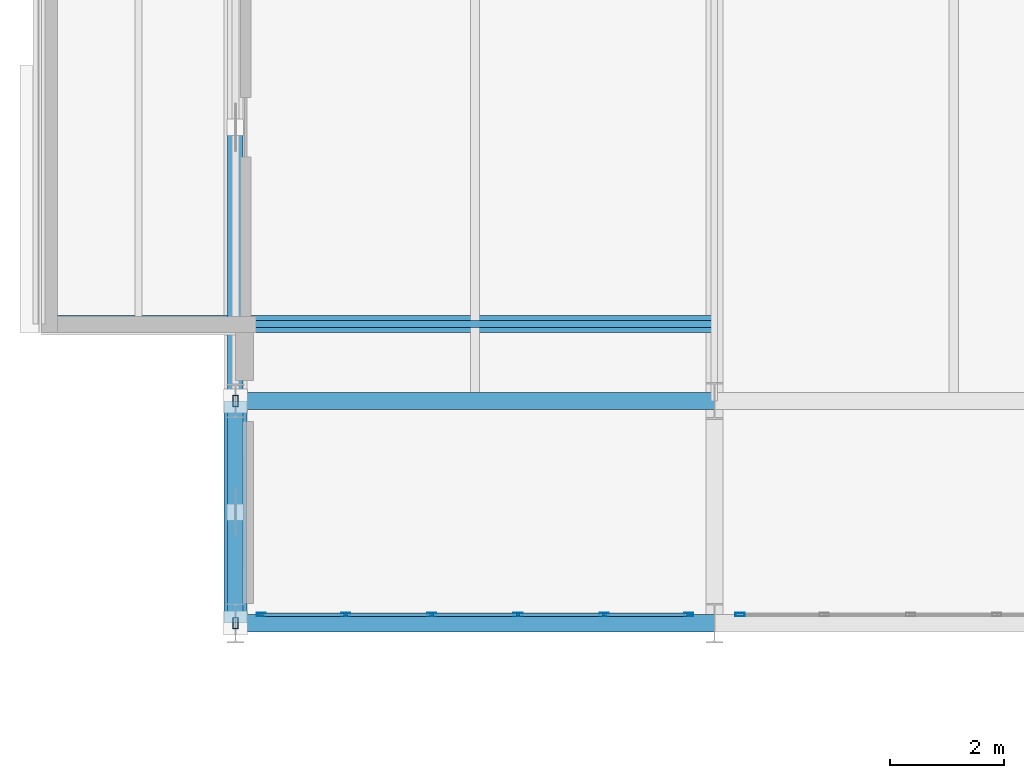
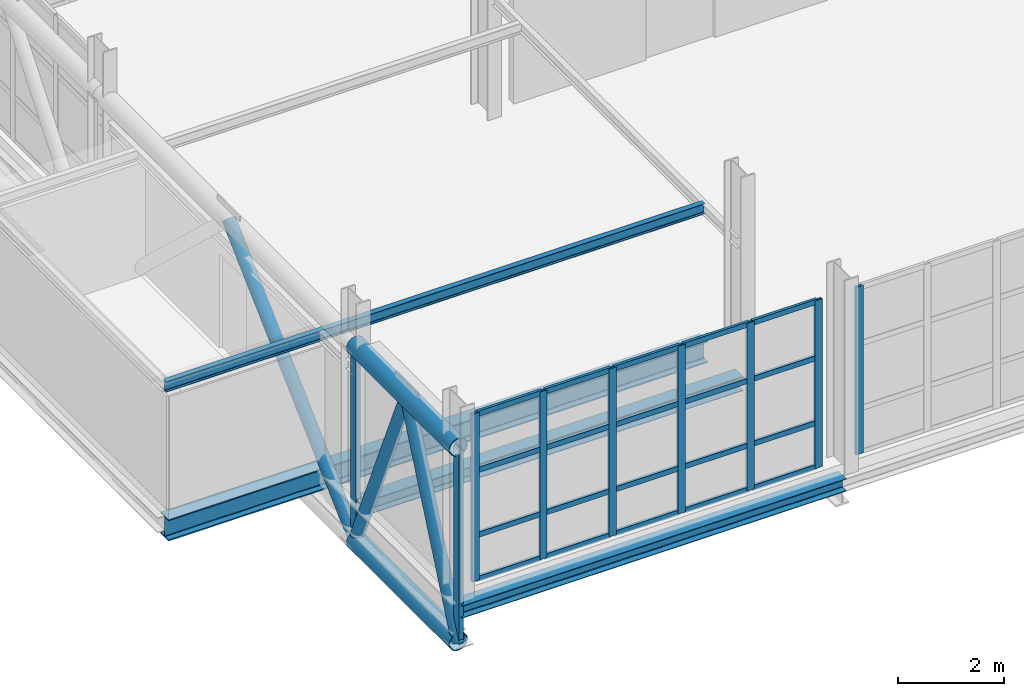
# One storey, part 11 of 130: 34 members, 4 beams, 2 elements without a shape of their own.
"""IFC4 building model written with IfcOpenShell, lengths in metres."""

from ifc_helpers import new_model, si_unit, direction, frame, origin, origin_2d, place, context, subcontext, project, spatial, hollow_rectangle, hollow_circle, i_section, extrude, material, material_profile, profile_set, type_object, element, aggregate, save


model = new_model("IFC4")

# Units and contexts
model_context = context("Model", 3, precision=1e-05, world=origin(), true_north=direction((0.0, 1.0)))
body_context = subcontext(model_context, "Body", "Model", "MODEL_VIEW")
ifc_project = project(units=[si_unit("LENGTHUNIT", "METRE"), si_unit("AREAUNIT", "SQUARE_METRE"), si_unit("VOLUMEUNIT", "CUBIC_METRE"), si_unit("PLANEANGLEUNIT", "RADIAN"), si_unit("MASSUNIT", "GRAM", prefix="KILO")], contexts=[model_context])

# Site, building, storey
site_placement = place(None, origin())
site = spatial("IfcSite", under=ifc_project, at=site_placement, CompositionType="ELEMENT")
building_placement = place(site_placement, origin())
building = spatial("IfcBuilding", under=site, at=building_placement, Name="Veltarok Museum of Natural Sciences", CompositionType="ELEMENT")
storey_placement = place(building_placement, frame((0.0, 0.0, 12.89990234375)))
storey = spatial("IfcBuildingStorey", under=building, at=storey_placement, Name="L02", CompositionType="ELEMENT", Elevation=12.89990234375)

# Beams
ifc_material_1 = material(Name="Steel S355J2", Category="steel")
ifc_material_profile_1 = material_profile(ifc_material_1, i_section(OverallWidth=0.300048828125, OverallDepth=0.5, WebThickness=0.014404296875, FlangeThickness=0.028076171875, FilletRadius=0.027099609375, at=origin_2d()), Name="HEB 500")
ifc_profile_set_1 = profile_set([ifc_material_profile_1], Name="Steel S355J2")
beam_type_1 = type_object("IfcBeamType", Name="Cabinet Box Cantilever Girder HEB 500", PredefinedType="BEAM", material=ifc_profile_set_1)
beam_1_placement = place(storey_placement, frame((3.0, 10.949951171875, -0.5), z_axis=(1.0, 0.0, 0.0), x_axis=(0.0, 1.0, 0.0)))
element("IfcBeam", 1, at=beam_1_placement, inside=storey, type_object=beam_type_1, Name="Cabinet Cantilever Girder DB-32-1", PredefinedType="BEAM", context=body_context, shape_type="SweptSolid", body=[
    extrude(i_section(OverallWidth=0.300048828125, OverallDepth=0.5, WebThickness=0.014404296875, FlangeThickness=0.028076171875, FilletRadius=0.027099609375, at=origin_2d()), origin(), (0.0, 0.0, 1.0), 11.800048828125),
])
ifc_material_profile_2 = material_profile(ifc_material_1, i_section(OverallWidth=0.1201171875, OverallDepth=0.239990234375, WebThickness=0.006103515625, FlangeThickness=0.009765625, FilletRadius=0.014892578125, at=origin_2d()), Name="IPE 240")
ifc_profile_set_2 = profile_set([ifc_material_profile_2], Name="Steel S355J2")
beam_type_2 = type_object("IfcBeamType", Name="Cabinet Box Secondary Joist IPE 240", PredefinedType="JOIST", material=ifc_profile_set_2)
beam_2_placement = place(storey_placement, frame((3.0, 10.949951171875, 2.760009765625), z_axis=(1.0, 0.0, 0.0), x_axis=(0.0, 1.0, 0.0)))
element("IfcBeam", 2, at=beam_2_placement, inside=storey, type_object=beam_type_2, Name="Cabinet Roof Rafter DB-32-1", PredefinedType="JOIST", context=body_context, shape_type="SweptSolid", body=[
    extrude(i_section(OverallWidth=0.1201171875, OverallDepth=0.239990234375, WebThickness=0.006103515625, FlangeThickness=0.009765625, FilletRadius=0.014892578125, at=origin_2d()), origin(), (0.0, 0.0, 1.0), 11.800048828125),
])

# Curtain wall, members
ifc_material_2 = material(Name="Low-iron triple insulated glass", Category="glass")
curtain_wall_type_1 = type_object("IfcCurtainWallType", Name="Curtain Wall System CW-BRG-S-L02-1-756x388 (Bridge South Cantilever L02 1-2 756x388cm)", PredefinedType="NOTDEFINED", material=ifc_material_2)
curtain_wall_1_placement = place(storey_placement, origin())
curtain_wall_1 = element("IfcCurtainWall", 3, at=curtain_wall_1_placement, inside=storey, type_object=curtain_wall_type_1, Name="Curtain Wall CW-BRG-S-L02-1-756x388 CW-0027", PredefinedType="NOTDEFINED")
ifc_material_3 = material(Name="Thermally broken anodised aluminium", Category="aluminium")
ifc_material_profile_3 = material_profile(ifc_material_3, hollow_rectangle(XDim=0.06005859375, YDim=0.1201171875, WallThickness=0.0048828125, at=origin_2d()), Name="CW TRANSOM 60x120x5")
ifc_profile_set_3 = profile_set([ifc_material_profile_3], Name="Thermally broken anodised aluminium")
member_type_1 = type_object("IfcMemberType", Name="Curtain Wall Horizontal Transom 60x120x5", PredefinedType="USERDEFINED", material=ifc_profile_set_3)
member_1_placement = place(storey_placement, frame((6.8798828125, 5.85009765625, 0.030029296875), z_axis=(1.0, 0.0, 0.0), x_axis=(0.0, 1.0, 0.0)))
member_1 = element("IfcMember", 4, at=member_1_placement, type_object=member_type_1, Name="CW-BRG-S-L02-1-756x388 transom 1.1", ObjectType="TRANSOM", PredefinedType="USERDEFINED", context=body_context, shape_type="SweptSolid", body=[
    extrude(hollow_rectangle(XDim=0.06005859375, YDim=0.1201171875, WallThickness=0.0048828125, at=origin_2d()), origin(), (0.0, 0.0, 1.0), 1.422119140625),
])
member_2_placement = place(storey_placement, frame((6.8798828125, 5.85009765625, 1.050048828125), z_axis=(1.0, 0.0, 0.0), x_axis=(0.0, 1.0, 0.0)))
member_2 = element("IfcMember", 5, at=member_2_placement, type_object=member_type_1, Name="CW-BRG-S-L02-1-756x388 transom 1.2", ObjectType="TRANSOM", PredefinedType="USERDEFINED", context=body_context, shape_type="SweptSolid", body=[
    extrude(hollow_rectangle(XDim=0.06005859375, YDim=0.1201171875, WallThickness=0.0048828125, at=origin_2d()), origin(), (0.0, 0.0, 1.0), 1.422119140625),
])
member_3_placement = place(storey_placement, frame((6.8798828125, 5.85009765625, 2.550048828125), z_axis=(1.0, 0.0, 0.0), x_axis=(0.0, 1.0, 0.0)))
member_3 = element("IfcMember", 6, at=member_3_placement, type_object=member_type_1, Name="CW-BRG-S-L02-1-756x388 transom 1.3", ObjectType="TRANSOM", PredefinedType="USERDEFINED", context=body_context, shape_type="SweptSolid", body=[
    extrude(hollow_rectangle(XDim=0.06005859375, YDim=0.1201171875, WallThickness=0.0048828125, at=origin_2d()), origin(), (0.0, 0.0, 1.0), 1.422119140625),
])
member_4_placement = place(storey_placement, frame((6.8798828125, 5.85009765625, 3.85009765625), z_axis=(1.0, 0.0, 0.0), x_axis=(0.0, 1.0, 0.0)))
member_4 = element("IfcMember", 7, at=member_4_placement, type_object=member_type_1, Name="CW-BRG-S-L02-1-756x388 transom 1.4", ObjectType="TRANSOM", PredefinedType="USERDEFINED", context=body_context, shape_type="SweptSolid", body=[
    extrude(hollow_rectangle(XDim=0.06005859375, YDim=0.1201171875, WallThickness=0.0048828125, at=origin_2d()), origin(), (0.0, 0.0, 1.0), 1.422119140625),
])
member_5_placement = place(storey_placement, frame((8.362060546875, 5.85009765625, 0.030029296875), z_axis=(1.0, 0.0, 0.0), x_axis=(0.0, 1.0, 0.0)))
member_5 = element("IfcMember", 8, at=member_5_placement, type_object=member_type_1, Name="CW-BRG-S-L02-1-756x388 transom 2.1", ObjectType="TRANSOM", PredefinedType="USERDEFINED", context=body_context, shape_type="SweptSolid", body=[
    extrude(hollow_rectangle(XDim=0.06005859375, YDim=0.1201171875, WallThickness=0.0048828125, at=origin_2d()), origin(), (0.0, 0.0, 1.0), 1.451904296875),
])
member_6_placement = place(storey_placement, frame((8.362060546875, 5.85009765625, 1.050048828125), z_axis=(1.0, 0.0, 0.0), x_axis=(0.0, 1.0, 0.0)))
member_6 = element("IfcMember", 9, at=member_6_placement, type_object=member_type_1, Name="CW-BRG-S-L02-1-756x388 transom 2.2", ObjectType="TRANSOM", PredefinedType="USERDEFINED", context=body_context, shape_type="SweptSolid", body=[
    extrude(hollow_rectangle(XDim=0.06005859375, YDim=0.1201171875, WallThickness=0.0048828125, at=origin_2d()), origin(), (0.0, 0.0, 1.0), 1.451904296875),
])
member_7_placement = place(storey_placement, frame((8.362060546875, 5.85009765625, 2.550048828125), z_axis=(1.0, 0.0, 0.0), x_axis=(0.0, 1.0, 0.0)))
member_7 = element("IfcMember", 10, at=member_7_placement, type_object=member_type_1, Name="CW-BRG-S-L02-1-756x388 transom 2.3", ObjectType="TRANSOM", PredefinedType="USERDEFINED", context=body_context, shape_type="SweptSolid", body=[
    extrude(hollow_rectangle(XDim=0.06005859375, YDim=0.1201171875, WallThickness=0.0048828125, at=origin_2d()), origin(), (0.0, 0.0, 1.0), 1.451904296875),
])
member_8_placement = place(storey_placement, frame((8.362060546875, 5.85009765625, 3.85009765625), z_axis=(1.0, 0.0, 0.0), x_axis=(0.0, 1.0, 0.0)))
member_8 = element("IfcMember", 11, at=member_8_placement, type_object=member_type_1, Name="CW-BRG-S-L02-1-756x388 transom 2.4", ObjectType="TRANSOM", PredefinedType="USERDEFINED", context=body_context, shape_type="SweptSolid", body=[
    extrude(hollow_rectangle(XDim=0.06005859375, YDim=0.1201171875, WallThickness=0.0048828125, at=origin_2d()), origin(), (0.0, 0.0, 1.0), 1.451904296875),
])
member_9_placement = place(storey_placement, frame((9.8740234375, 5.85009765625, 0.030029296875), z_axis=(1.0, 0.0, 0.0), x_axis=(0.0, 1.0, 0.0)))
member_9 = element("IfcMember", 12, at=member_9_placement, type_object=member_type_1, Name="CW-BRG-S-L02-1-756x388 transom 3.1", ObjectType="TRANSOM", PredefinedType="USERDEFINED", context=body_context, shape_type="SweptSolid", body=[
    extrude(hollow_rectangle(XDim=0.06005859375, YDim=0.1201171875, WallThickness=0.0048828125, at=origin_2d()), origin(), (0.0, 0.0, 1.0), 1.451904296875),
])
member_10_placement = place(storey_placement, frame((9.8740234375, 5.85009765625, 1.050048828125), z_axis=(1.0, 0.0, 0.0), x_axis=(0.0, 1.0, 0.0)))
member_10 = element("IfcMember", 13, at=member_10_placement, type_object=member_type_1, Name="CW-BRG-S-L02-1-756x388 transom 3.2", ObjectType="TRANSOM", PredefinedType="USERDEFINED", context=body_context, shape_type="SweptSolid", body=[
    extrude(hollow_rectangle(XDim=0.06005859375, YDim=0.1201171875, WallThickness=0.0048828125, at=origin_2d()), origin(), (0.0, 0.0, 1.0), 1.451904296875),
])
member_11_placement = place(storey_placement, frame((9.8740234375, 5.85009765625, 2.550048828125), z_axis=(1.0, 0.0, 0.0), x_axis=(0.0, 1.0, 0.0)))
member_11 = element("IfcMember", 14, at=member_11_placement, type_object=member_type_1, Name="CW-BRG-S-L02-1-756x388 transom 3.3", ObjectType="TRANSOM", PredefinedType="USERDEFINED", context=body_context, shape_type="SweptSolid", body=[
    extrude(hollow_rectangle(XDim=0.06005859375, YDim=0.1201171875, WallThickness=0.0048828125, at=origin_2d()), origin(), (0.0, 0.0, 1.0), 1.451904296875),
])
member_12_placement = place(storey_placement, frame((9.8740234375, 5.85009765625, 3.85009765625), z_axis=(1.0, 0.0, 0.0), x_axis=(0.0, 1.0, 0.0)))
member_12 = element("IfcMember", 15, at=member_12_placement, type_object=member_type_1, Name="CW-BRG-S-L02-1-756x388 transom 3.4", ObjectType="TRANSOM", PredefinedType="USERDEFINED", context=body_context, shape_type="SweptSolid", body=[
    extrude(hollow_rectangle(XDim=0.06005859375, YDim=0.1201171875, WallThickness=0.0048828125, at=origin_2d()), origin(), (0.0, 0.0, 1.0), 1.451904296875),
])
member_13_placement = place(storey_placement, frame((11.385986328125, 5.85009765625, 0.030029296875), z_axis=(1.0, 0.0, 0.0), x_axis=(0.0, 1.0, 0.0)))
member_13 = element("IfcMember", 16, at=member_13_placement, type_object=member_type_1, Name="CW-BRG-S-L02-1-756x388 transom 4.1", ObjectType="TRANSOM", PredefinedType="USERDEFINED", context=body_context, shape_type="SweptSolid", body=[
    extrude(hollow_rectangle(XDim=0.06005859375, YDim=0.1201171875, WallThickness=0.0048828125, at=origin_2d()), origin(), (0.0, 0.0, 1.0), 1.451904296875),
])
member_14_placement = place(storey_placement, frame((11.385986328125, 5.85009765625, 1.050048828125), z_axis=(1.0, 0.0, 0.0), x_axis=(0.0, 1.0, 0.0)))
member_14 = element("IfcMember", 17, at=member_14_placement, type_object=member_type_1, Name="CW-BRG-S-L02-1-756x388 transom 4.2", ObjectType="TRANSOM", PredefinedType="USERDEFINED", context=body_context, shape_type="SweptSolid", body=[
    extrude(hollow_rectangle(XDim=0.06005859375, YDim=0.1201171875, WallThickness=0.0048828125, at=origin_2d()), origin(), (0.0, 0.0, 1.0), 1.451904296875),
])
member_15_placement = place(storey_placement, frame((11.385986328125, 5.85009765625, 2.550048828125), z_axis=(1.0, 0.0, 0.0), x_axis=(0.0, 1.0, 0.0)))
member_15 = element("IfcMember", 18, at=member_15_placement, type_object=member_type_1, Name="CW-BRG-S-L02-1-756x388 transom 4.3", ObjectType="TRANSOM", PredefinedType="USERDEFINED", context=body_context, shape_type="SweptSolid", body=[
    extrude(hollow_rectangle(XDim=0.06005859375, YDim=0.1201171875, WallThickness=0.0048828125, at=origin_2d()), origin(), (0.0, 0.0, 1.0), 1.451904296875),
])
member_16_placement = place(storey_placement, frame((11.385986328125, 5.85009765625, 3.85009765625), z_axis=(1.0, 0.0, 0.0), x_axis=(0.0, 1.0, 0.0)))
member_16 = element("IfcMember", 19, at=member_16_placement, type_object=member_type_1, Name="CW-BRG-S-L02-1-756x388 transom 4.4", ObjectType="TRANSOM", PredefinedType="USERDEFINED", context=body_context, shape_type="SweptSolid", body=[
    extrude(hollow_rectangle(XDim=0.06005859375, YDim=0.1201171875, WallThickness=0.0048828125, at=origin_2d()), origin(), (0.0, 0.0, 1.0), 1.451904296875),
])
member_17_placement = place(storey_placement, frame((12.89794921875, 5.85009765625, 0.030029296875), z_axis=(1.0, 0.0, 0.0), x_axis=(0.0, 1.0, 0.0)))
member_17 = element("IfcMember", 20, at=member_17_placement, type_object=member_type_1, Name="CW-BRG-S-L02-1-756x388 transom 5.1", ObjectType="TRANSOM", PredefinedType="USERDEFINED", context=body_context, shape_type="SweptSolid", body=[
    extrude(hollow_rectangle(XDim=0.06005859375, YDim=0.1201171875, WallThickness=0.0048828125, at=origin_2d()), origin(), (0.0, 0.0, 1.0), 1.422119140625),
])
member_18_placement = place(storey_placement, frame((12.89794921875, 5.85009765625, 1.050048828125), z_axis=(1.0, 0.0, 0.0), x_axis=(0.0, 1.0, 0.0)))
member_18 = element("IfcMember", 21, at=member_18_placement, type_object=member_type_1, Name="CW-BRG-S-L02-1-756x388 transom 5.2", ObjectType="TRANSOM", PredefinedType="USERDEFINED", context=body_context, shape_type="SweptSolid", body=[
    extrude(hollow_rectangle(XDim=0.06005859375, YDim=0.1201171875, WallThickness=0.0048828125, at=origin_2d()), origin(), (0.0, 0.0, 1.0), 1.422119140625),
])
member_19_placement = place(storey_placement, frame((12.89794921875, 5.85009765625, 2.550048828125), z_axis=(1.0, 0.0, 0.0), x_axis=(0.0, 1.0, 0.0)))
member_19 = element("IfcMember", 22, at=member_19_placement, type_object=member_type_1, Name="CW-BRG-S-L02-1-756x388 transom 5.3", ObjectType="TRANSOM", PredefinedType="USERDEFINED", context=body_context, shape_type="SweptSolid", body=[
    extrude(hollow_rectangle(XDim=0.06005859375, YDim=0.1201171875, WallThickness=0.0048828125, at=origin_2d()), origin(), (0.0, 0.0, 1.0), 1.422119140625),
])
member_20_placement = place(storey_placement, frame((12.89794921875, 5.85009765625, 3.85009765625), z_axis=(1.0, 0.0, 0.0), x_axis=(0.0, 1.0, 0.0)))
member_20 = element("IfcMember", 23, at=member_20_placement, type_object=member_type_1, Name="CW-BRG-S-L02-1-756x388 transom 5.4", ObjectType="TRANSOM", PredefinedType="USERDEFINED", context=body_context, shape_type="SweptSolid", body=[
    extrude(hollow_rectangle(XDim=0.06005859375, YDim=0.1201171875, WallThickness=0.0048828125, at=origin_2d()), origin(), (0.0, 0.0, 1.0), 1.422119140625),
])
ifc_material_profile_4 = material_profile(ifc_material_3, hollow_rectangle(XDim=0.06005859375, YDim=0.159912109375, WallThickness=0.0048828125, at=origin_2d()), Name="CW MULLION 60x160x5")
ifc_profile_set_4 = profile_set([ifc_material_profile_4], Name="Thermally broken anodised aluminium")
member_type_2 = type_object("IfcMemberType", Name="Curtain Wall Vertical Mullion 60x160x5", PredefinedType="MULLION", material=ifc_profile_set_4)
member_21_placement = place(storey_placement, frame((6.85009765625, 5.85009765625, 0.0), z_axis=(0.0, 0.0, 1.0), x_axis=(0.0, 1.0, 0.0)))
member_21 = element("IfcMember", 24, at=member_21_placement, type_object=member_type_2, Name="CW-BRG-S-L02-1-756x388 mullion 1", PredefinedType="MULLION", context=body_context, shape_type="SweptSolid", body=[
    extrude(hollow_rectangle(XDim=0.06005859375, YDim=0.159912109375, WallThickness=0.0048828125, at=origin_2d()), origin(), (0.0, 0.0, 1.0), 3.880126953125),
])
member_22_placement = place(storey_placement, frame((8.33203125, 5.85009765625, 0.0), z_axis=(0.0, 0.0, 1.0), x_axis=(0.0, 1.0, 0.0)))
member_22 = element("IfcMember", 25, at=member_22_placement, type_object=member_type_2, Name="CW-BRG-S-L02-1-756x388 mullion 2", PredefinedType="MULLION", context=body_context, shape_type="SweptSolid", body=[
    extrude(hollow_rectangle(XDim=0.06005859375, YDim=0.159912109375, WallThickness=0.0048828125, at=origin_2d()), origin(), (0.0, 0.0, 1.0), 3.880126953125),
])
member_23_placement = place(storey_placement, frame((9.843994140625, 5.85009765625, 0.0), z_axis=(0.0, 0.0, 1.0), x_axis=(0.0, 1.0, 0.0)))
member_23 = element("IfcMember", 26, at=member_23_placement, type_object=member_type_2, Name="CW-BRG-S-L02-1-756x388 mullion 3", PredefinedType="MULLION", context=body_context, shape_type="SweptSolid", body=[
    extrude(hollow_rectangle(XDim=0.06005859375, YDim=0.159912109375, WallThickness=0.0048828125, at=origin_2d()), origin(), (0.0, 0.0, 1.0), 3.880126953125),
])
member_24_placement = place(storey_placement, frame((11.35595703125, 5.85009765625, 0.0), z_axis=(0.0, 0.0, 1.0), x_axis=(0.0, 1.0, 0.0)))
member_24 = element("IfcMember", 27, at=member_24_placement, type_object=member_type_2, Name="CW-BRG-S-L02-1-756x388 mullion 4", PredefinedType="MULLION", context=body_context, shape_type="SweptSolid", body=[
    extrude(hollow_rectangle(XDim=0.06005859375, YDim=0.159912109375, WallThickness=0.0048828125, at=origin_2d()), origin(), (0.0, 0.0, 1.0), 3.880126953125),
])
member_25_placement = place(storey_placement, frame((12.867919921875, 5.85009765625, 0.0), z_axis=(0.0, 0.0, 1.0), x_axis=(0.0, 1.0, 0.0)))
member_25 = element("IfcMember", 28, at=member_25_placement, type_object=member_type_2, Name="CW-BRG-S-L02-1-756x388 mullion 5", PredefinedType="MULLION", context=body_context, shape_type="SweptSolid", body=[
    extrude(hollow_rectangle(XDim=0.06005859375, YDim=0.159912109375, WallThickness=0.0048828125, at=origin_2d()), origin(), (0.0, 0.0, 1.0), 3.880126953125),
])
member_26_placement = place(storey_placement, frame((14.35009765625, 5.85009765625, 0.0), z_axis=(0.0, 0.0, 1.0), x_axis=(0.0, 1.0, 0.0)))
member_26 = element("IfcMember", 29, at=member_26_placement, type_object=member_type_2, Name="CW-BRG-S-L02-1-756x388 mullion 6", PredefinedType="MULLION", context=body_context, shape_type="SweptSolid", body=[
    extrude(hollow_rectangle(XDim=0.06005859375, YDim=0.159912109375, WallThickness=0.0048828125, at=origin_2d()), origin(), (0.0, 0.0, 1.0), 3.880126953125),
])
aggregate(curtain_wall_1, [member_21, member_22, member_23, member_24, member_25, member_26, member_1, member_2, member_3, member_4, member_5, member_6, member_7, member_8, member_9, member_10, member_11, member_12, member_13, member_14, member_15, member_16, member_17, member_18, member_19, member_20])

# Curtain wall, member
curtain_wall_type_2 = type_object("IfcCurtainWallType", Name="Curtain Wall System CW-BRG-S-L02-2-756x388 (Bridge South Cantilever L02 2-3 756x388cm)", PredefinedType="NOTDEFINED", material=ifc_material_2)
curtain_wall_2_placement = place(storey_placement, origin())
curtain_wall_2 = element("IfcCurtainWall", 30, at=curtain_wall_2_placement, inside=storey, type_object=curtain_wall_type_2, Name="Curtain Wall CW-BRG-S-L02-2-756x388 CW-0028", PredefinedType="NOTDEFINED")
member_27_placement = place(storey_placement, frame((15.25, 5.85009765625, 0.0), z_axis=(0.0, 0.0, 1.0), x_axis=(0.0, 1.0, 0.0)))
member_27 = element("IfcMember", 31, at=member_27_placement, type_object=member_type_2, Name="CW-BRG-S-L02-2-756x388 mullion 1", PredefinedType="MULLION", context=body_context, shape_type="SweptSolid", body=[
    extrude(hollow_rectangle(XDim=0.06005859375, YDim=0.159912109375, WallThickness=0.0048828125, at=origin_2d()), origin(), (0.0, 0.0, 1.0), 3.880126953125),
])
aggregate(curtain_wall_2, [member_27])

# Beam
ifc_material_profile_5 = material_profile(ifc_material_1, i_section(OverallWidth=0.300048828125, OverallDepth=0.2900390625, WebThickness=0.008544921875, FlangeThickness=0.013916015625, FilletRadius=0.027099609375, at=origin_2d()), Name="HEA 300")
ifc_profile_set_5 = profile_set([ifc_material_profile_5], Name="Steel S355J2")
beam_type_3 = type_object("IfcBeamType", Name="Glazed Hall Edge Spandrel HEA 300", PredefinedType="SPANDREL", material=ifc_profile_set_5)
beam_3_placement = place(storey_placement, frame((6.39990234375, 5.699951171875, -0.39501953125), z_axis=(1.0, 0.0, 0.0), x_axis=(0.0, 1.0, 0.0)))
element("IfcBeam", 32, at=beam_3_placement, inside=storey, type_object=beam_type_3, Name="Bridge South Edge Spandrel L02 1-2", PredefinedType="SPANDREL", context=body_context, shape_type="SweptSolid", body=[
    extrude(i_section(OverallWidth=0.300048828125, OverallDepth=0.2900390625, WebThickness=0.008544921875, FlangeThickness=0.013916015625, FilletRadius=0.027099609375, at=origin_2d()), origin(), (0.0, 0.0, 1.0), 8.400146484375),
])

# Members
ifc_material_4 = material(Name="Oxide-red painted Steel S355J2", Category="steel")
ifc_material_profile_6 = material_profile(ifc_material_4, hollow_rectangle(XDim=0.10009765625, YDim=0.199951171875, WallThickness=0.008056640625, at=origin_2d()), Name="RHS 200x100x8")
ifc_profile_set_6 = profile_set([ifc_material_profile_6], Name="Oxide-red painted Steel S355J2")
member_type_3 = type_object("IfcMemberType", Name="Monitor and Transfer Vertical Post RHS 200x100x8", PredefinedType="STRUT", material=ifc_profile_set_6)
for number, where, z_axis, x_axis, name in (
    (33, (6.39990234375, 5.699951171875, -1.169921875), (0.0, 0.0, 1.0), (1.0, 0.0, 0.0), "Transfer Truss Post 1 Y=5.7"),
    (34, (6.39990234375, 9.60009765625, -1.169921875), (0.0, 0.0, 1.0), (1.0, 0.0, 0.0), "Transfer Truss Post 1 Y=9.6"),
):
    element("IfcMember", number, at=place(storey_placement, frame(where, z_axis=z_axis, x_axis=x_axis)), inside=storey, type_object=member_type_3, Name=name, PredefinedType="STRUT", context=body_context, shape_type="SweptSolid", body=[
        extrude(hollow_rectangle(XDim=0.10009765625, YDim=0.199951171875, WallThickness=0.008056640625, at=origin_2d()), origin(), (0.0, 0.0, 1.0), 4.5),
    ])

# Beam
ifc_material_profile_7 = material_profile(ifc_material_1, i_section(OverallWidth=0.300048828125, OverallDepth=0.330078125, WebThickness=0.009521484375, FlangeThickness=0.0166015625, FilletRadius=0.027099609375, at=origin_2d()), Name="HEA 340")
ifc_profile_set_7 = profile_set([ifc_material_profile_7], Name="Steel S355J2")
beam_type_4 = type_object("IfcBeamType", Name="Perimeter Upper Spandrel HEA 340", PredefinedType="SPANDREL", material=ifc_profile_set_7)
beam_4_placement = place(storey_placement, frame((6.39990234375, 9.60009765625, -0.414794921875), z_axis=(1.0, 0.0, 0.0), x_axis=(0.0, 1.0, 0.0)))
element("IfcBeam", 35, at=beam_4_placement, inside=storey, type_object=beam_type_4, Name="Beam BM-SP05 L02 1-2/B", PredefinedType="SPANDREL", context=body_context, shape_type="SweptSolid", body=[
    extrude(i_section(OverallWidth=0.300048828125, OverallDepth=0.330078125, WebThickness=0.009521484375, FlangeThickness=0.0166015625, FilletRadius=0.027099609375, at=origin_2d()), origin(), (0.0, 0.0, 1.0), 8.400146484375),
])

# Members
ifc_material_profile_8 = material_profile(ifc_material_4, hollow_circle(Radius=0.203125, WallThickness=0.01611328125, at=origin_2d()), Name="CHS 406.4x16")
ifc_profile_set_8 = profile_set([ifc_material_profile_8], Name="Oxide-red painted Steel S355J2")
member_type_4 = type_object("IfcMemberType", Name="Transfer Truss Chord CHS 406.4x16", PredefinedType="CHORD", material=ifc_profile_set_8)
for number, where, z_axis, x_axis, name in (
    (36, (6.39990234375, 5.699951171875, -1.169921875), (0.0, 1.0, 0.0), (-1.0, 0.0, 0.0), "Transfer Truss BC 1 1"),
    (37, (6.39990234375, 5.699951171875, 3.330078125), (0.0, 1.0, 0.0), (-1.0, 0.0, 0.0), "Transfer Truss TC 1 1"),
):
    element("IfcMember", number, at=place(storey_placement, frame(where, z_axis=z_axis, x_axis=x_axis)), inside=storey, type_object=member_type_4, Name=name, PredefinedType="CHORD", context=body_context, shape_type="SweptSolid", body=[
        extrude(hollow_circle(Radius=0.203125, WallThickness=0.01611328125, at=origin_2d()), origin(), (0.0, 0.0, 1.0), 3.900146484375),
    ])
ifc_material_profile_9 = material_profile(ifc_material_4, hollow_circle(Radius=0.136474609375, WallThickness=0.012451171875, at=origin_2d()), Name="CHS 273x12.5")
ifc_profile_set_9 = profile_set([ifc_material_profile_9], Name="Oxide-red painted Steel S355J2")
member_type_5 = type_object("IfcMemberType", Name="Transfer Truss Web Diagonal CHS 273x12.5", PredefinedType="BRACE", material=ifc_profile_set_9)
for number, where, z_axis, x_axis, name in (
    (38, (6.39990234375, 5.699951171875, -1.169921875), (0.0, 0.397599055448, 0.917559257545), (-1.0, 0.0, 0.0), "Transfer Truss Diagonal 1 3"),
    (39, (6.39990234375, 7.64990234375, 3.330078125), (0.0, 0.397640965385, -0.91754109589), (-1.0, 0.0, 0.0), "Transfer Truss Diagonal 1 4"),
):
    element("IfcMember", number, at=place(storey_placement, frame(where, z_axis=z_axis, x_axis=x_axis)), inside=storey, type_object=member_type_5, Name=name, PredefinedType="BRACE", context=body_context, shape_type="SweptSolid", body=[
        extrude(hollow_circle(Radius=0.136474609375, WallThickness=0.012451171875, at=origin_2d()), origin(), (0.0, 0.0, 1.0), 4.904296875),
    ])
member_28_placement = place(storey_placement, frame((6.39990234375, 9.60009765625, -1.169921875), z_axis=(0.0, 0.7295233178, 0.683955940676), x_axis=(-1.0, 0.0, 0.0)))
element("IfcMember", 40, at=member_28_placement, inside=storey, type_object=member_type_5, Name="Transfer Truss Diagonal 1 7", PredefinedType="BRACE", context=body_context, shape_type="SweptSolid", body=[
    extrude(hollow_circle(Radius=0.136474609375, WallThickness=0.012451171875, at=origin_2d()), origin(), (0.0, 0.0, 1.0), 6.579345703125),
])

save(model, "model.ifc")
